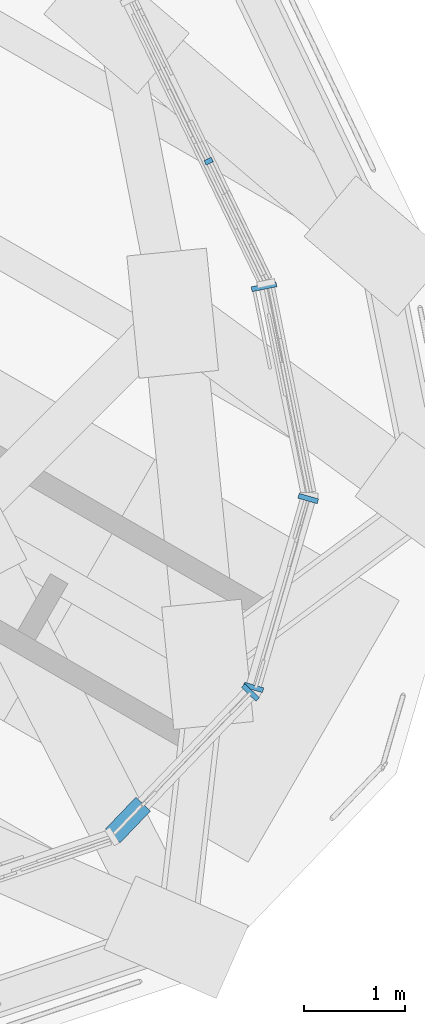
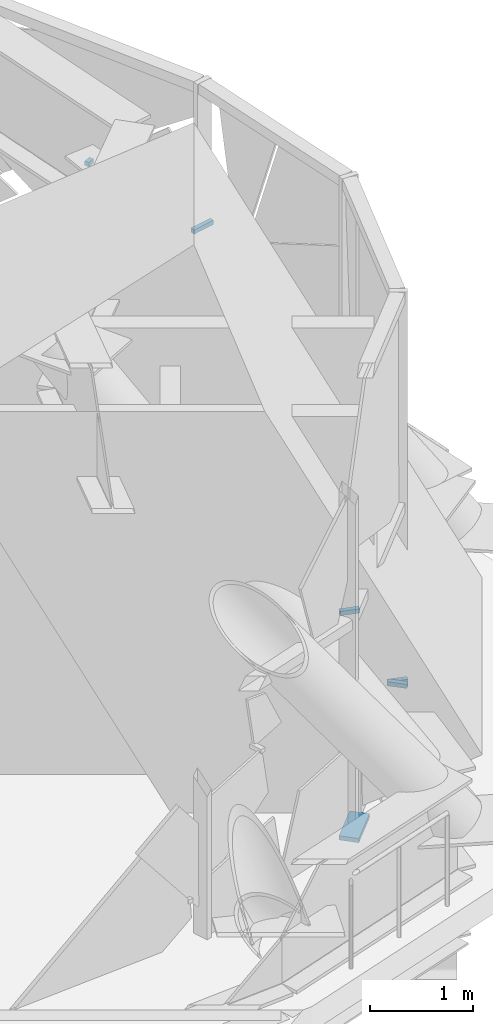
# One storey, part 37 of 43: 6 discrete accessories, 2 elements without a shape of their own.
"""IFC4 building model written with IfcOpenShell, lengths in metres."""

from ifc_helpers import new_model, si_unit, direction, frame, origin, origin_2d, place, context, subcontext, project, spatial, rectangle, extrude, material, layer, layer_set, type_object, element, aggregate, save


model = new_model("IFC4")

# Units and contexts
model_context = context("Model", 3, precision=1e-05, world=origin(), true_north=direction((0.0, 1.0)))
body_context = subcontext(model_context, "Body", "Model", "MODEL_VIEW")
ifc_project = project(units=[si_unit("LENGTHUNIT", "METRE"), si_unit("AREAUNIT", "SQUARE_METRE"), si_unit("VOLUMEUNIT", "CUBIC_METRE"), si_unit("PLANEANGLEUNIT", "RADIAN"), si_unit("MASSUNIT", "GRAM", prefix="KILO")], contexts=[model_context])

# Site, building, storey
site_placement = place(None, origin())
site = spatial("IfcSite", under=ifc_project, at=site_placement, CompositionType="ELEMENT")
building_placement = place(site_placement, origin())
building = spatial("IfcBuilding", under=site, at=building_placement, Name="Mestral Congress Tower", CompositionType="ELEMENT")
storey_placement = place(building_placement, frame((0.0, 0.0, 78.300048828125)))
storey = spatial("IfcBuildingStorey", under=building, at=storey_placement, Name="L18", CompositionType="ELEMENT", Elevation=78.300048828125)

# Curtain wall, discrete accessory
ifc_material_1 = material(Name="Clear low-emissivity double glazing", Category="glass")
curtain_wall_type = type_object("IfcCurtainWallType", Name="Facade refuge band screen", PredefinedType="USERDEFINED", material=ifc_material_1)
placement = place(storey_placement, origin())
curtain_wall_1 = element("IfcCurtainWall", 1, at=placement, inside=storey, type_object=curtain_wall_type, Name="Facade refuge band screen face 2", ObjectType="CURTAIN WALL", PredefinedType="USERDEFINED")
ifc_material_2 = material(Name="Steel S355", Category="steel")
ifc_layer = layer(ifc_material_2, 0.050048828125)
ifc_layer_set = layer_set([ifc_layer], Name="Steel S355")
discrete_accessory_type = type_object("IfcDiscreteAccessoryType", Name="Facade bracket", PredefinedType="BRACKET", material=ifc_layer_set)
discrete_accessory_1_placement = place(storey_placement, frame((31.5341796875, -13.20458984375, 3.61376953125), z_axis=(0.0, 0.0, 1.0), x_axis=(-0.4346637547, 0.900592816066, 0.0)))
discrete_accessory_1 = element("IfcDiscreteAccessory", 2, at=discrete_accessory_1_placement, type_object=discrete_accessory_type, Name="Facade bracket", PredefinedType="BRACKET", context=body_context, shape_type="SweptSolid", body=[
    extrude(rectangle(XDim=0.050048828125, YDim=0.07958984375, at=origin_2d()), origin(), (0.0, 0.0, 1.0), 0.05029296875),
])
aggregate(curtain_wall_1, [discrete_accessory_1])

# Curtain wall, discrete accessories
curtain_wall_2 = element("IfcCurtainWall", 3, at=placement, inside=storey, type_object=curtain_wall_type, Name="Facade refuge band screen corner 1", ObjectType="CURTAIN WALL", PredefinedType="USERDEFINED")
discrete_accessory_2_placement = place(storey_placement, frame((31.9482421875, -18.47900390625, 0.47998046875), z_axis=(0.0, 0.0, 1.0), x_axis=(0.692369887374, 0.721542749293, 0.0)))
discrete_accessory_2 = element("IfcDiscreteAccessory", 4, at=discrete_accessory_2_placement, type_object=discrete_accessory_type, Name="Facade bracket", PredefinedType="BRACKET", context=body_context, shape_type="SweptSolid", body=[
    extrude(rectangle(XDim=0.050048828125, YDim=0.199951171875, at=origin_2d()), origin(), (0.0, 0.0, 1.0), 0.050048828125),
])
discrete_accessory_3_placement = place(storey_placement, frame((30.73291015625, -19.744873046875, -0.02490234375), z_axis=(0.0, 0.0, 1.0), x_axis=(0.692289285956, 0.721620083251, 0.0)))
discrete_accessory_3 = element("IfcDiscreteAccessory", 5, at=discrete_accessory_3_placement, type_object=discrete_accessory_type, Name="Facade bracket", PredefinedType="BRACKET", context=body_context, shape_type="SweptSolid", body=[
    extrude(rectangle(XDim=0.43701171875, YDim=0.199951171875, at=origin_2d()), origin(), (0.0, 0.0, 1.0), 0.050048828125),
])
discrete_accessory_4_placement = place(storey_placement, frame((32.521728515625, -16.5537109375, -0.02490234375), z_axis=(0.0, 0.0, 1.0), x_axis=(0.278858697124, 0.960332144124, 0.0)))
discrete_accessory_4 = element("IfcDiscreteAccessory", 6, at=discrete_accessory_4_placement, type_object=discrete_accessory_type, Name="Facade bracket", PredefinedType="BRACKET", context=body_context, shape_type="SweptSolid", body=[
    extrude(rectangle(XDim=0.050048828125, YDim=0.199951171875, at=origin_2d()), origin(), (0.0, 0.0, 1.0), 0.050048828125),
])
discrete_accessory_5_placement = place(storey_placement, frame((31.978515625, -18.428955078125, 0.466796875), z_axis=(0.0, 0.0, 1.0), x_axis=(0.278724606743, 0.960371070782, 0.0)))
discrete_accessory_5 = element("IfcDiscreteAccessory", 7, at=discrete_accessory_5_placement, type_object=discrete_accessory_type, Name="Facade bracket", PredefinedType="BRACKET", context=body_context, shape_type="SweptSolid", body=[
    extrude(rectangle(XDim=0.050048828125, YDim=0.199951171875, at=origin_2d()), origin(), (0.0, 0.0, 1.0), 0.050048828125),
])
discrete_accessory_6_placement = place(storey_placement, frame((32.083251953125, -14.45166015625, 3.41748046875), z_axis=(0.0, 0.0, 1.0), x_axis=(-0.197997796746, 0.980202465047, 0.0)))
discrete_accessory_6 = element("IfcDiscreteAccessory", 8, at=discrete_accessory_6_placement, type_object=discrete_accessory_type, Name="Facade bracket", PredefinedType="BRACKET", context=body_context, shape_type="SweptSolid", body=[
    extrude(rectangle(XDim=0.050048828125, YDim=0.25146484375, at=origin_2d()), origin(), (0.0, 0.0, 1.0), 0.050048828125),
])
aggregate(curtain_wall_2, [discrete_accessory_2, discrete_accessory_3, discrete_accessory_4, discrete_accessory_5, discrete_accessory_6])

save(model, "model.ifc")
